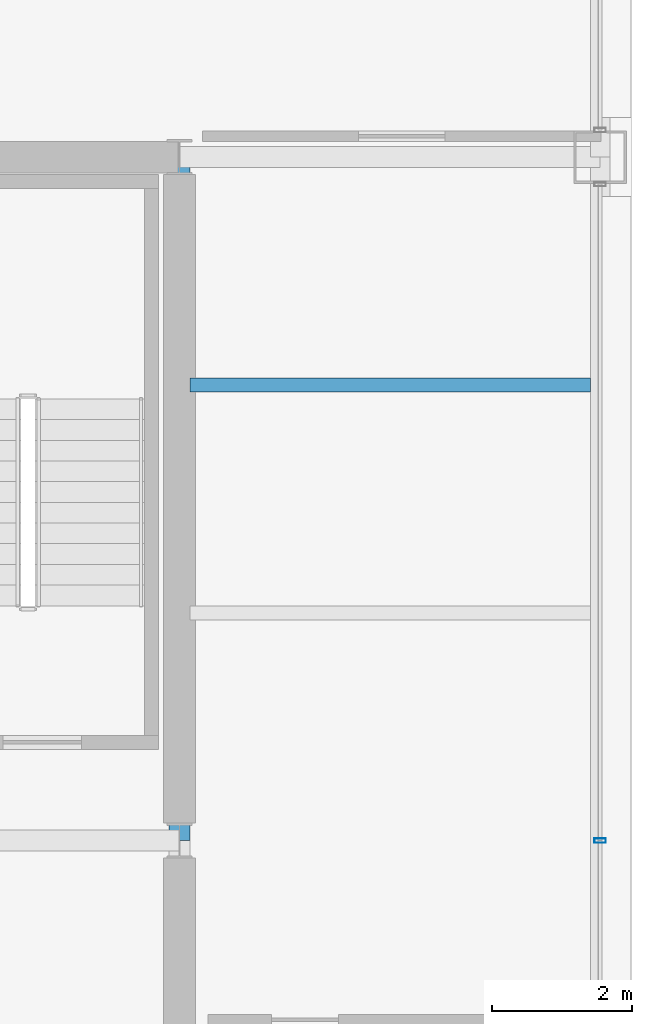
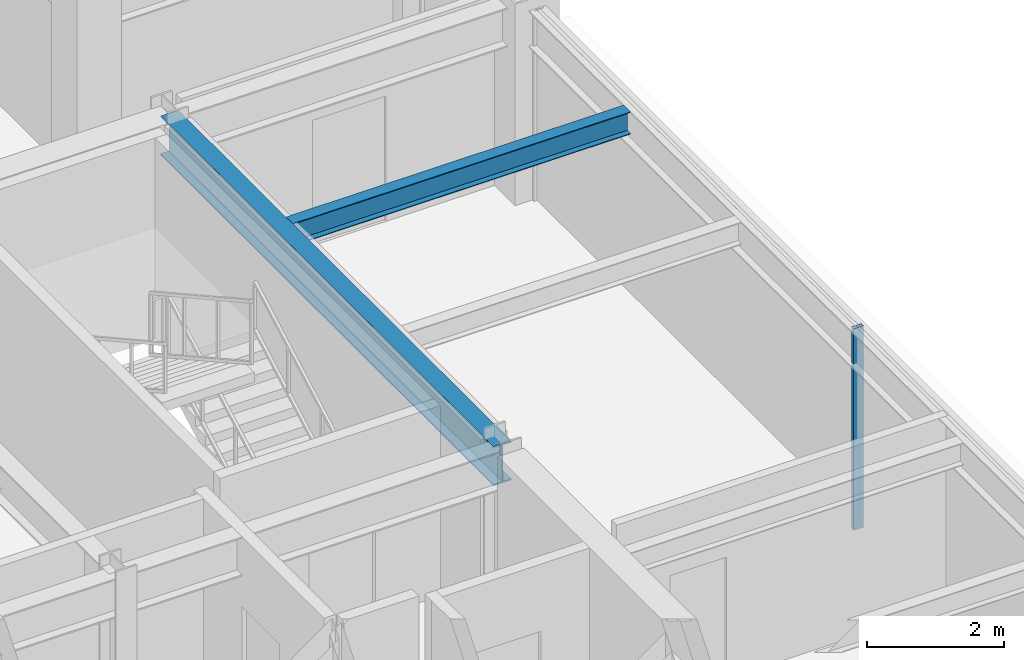
# One storey, part 15 of 27: 2 beams, 1 member, 1 element without a shape of its own.
"""IFC4 building model written with IfcOpenShell, lengths in metres."""

import ifcopenshell
import ifcopenshell.guid

model = None  # the IFC model being written
_history = None  # IfcOwnerHistory: only IFC2X3 demands one
_inside = {}  # id of a spatial element -> (the spatial element, [elements in it])
_under = {}  # id of a project, library or spatial element -> (it, [spatial elements below it])
_declared = {}  # id of a project -> (the project, [libraries it declares])
_typed = {}  # id of a type object -> (the type object, [elements of that type])
_made_of = {}  # id of a material, layer set ... -> (it, [elements and type objects made of it])


def new_model(schema):
    """Start an empty IFC model of exactly this schema.

    Asked for "IFC4X3", IfcOpenShell would pick the latest addendum, in which some entities
    have other attributes; the version numbers below select the first issue.
    IFC2X3 requires an IfcOwnerHistory on every rooted entity: one is made here for all.
    """
    global model, _history
    if schema == "IFC4X3":
        model = ifcopenshell.file(schema_version=(4, 3, 0, 0))
    else:
        model = ifcopenshell.file(schema=schema)
    _inside.clear()
    _under.clear()
    _declared.clear()
    _typed.clear()
    _made_of.clear()
    _history = None
    if model.schema == "IFC2X3":
        org = make("IfcOrganization", Name="unknown")
        user = make(
            "IfcPersonAndOrganization",
            ThePerson=make("IfcPerson", FamilyName="unknown"),
            TheOrganization=org,
        )
        app = make(
            "IfcApplication",
            ApplicationDeveloper=org,
            Version="unknown",
            ApplicationFullName="unknown",
            ApplicationIdentifier="unknown",
        )
        _history = make(
            "IfcOwnerHistory",
            OwningUser=user,
            OwningApplication=app,
            ChangeAction="ADDED",
            CreationDate=0,
        )
    return model


def make(cls, **values):
    """One entity of the class cls with the attributes given. An attribute that is None is left unset."""
    return model.create_entity(
        cls, **{name: value for name, value in values.items() if value is not None}
    )


def rooted(cls, **values):
    """An entity with a GlobalId (a new one), such as an element, a storey or a relation."""
    return make(cls, GlobalId=ifcopenshell.guid.new(), OwnerHistory=_history, **values)


def si_unit(unit_type, name, prefix=None):
    """IfcSIUnit, for example si_unit("LENGTHUNIT", "METRE", prefix="MILLI")."""
    return make("IfcSIUnit", UnitType=unit_type, Prefix=prefix, Name=name)


def assignment(units):
    """IfcUnitAssignment: the units of a project."""
    return None if units is None else make("IfcUnitAssignment", Units=units)


def point(xyz):
    """IfcCartesianPoint."""
    return None if xyz is None else make("IfcCartesianPoint", Coordinates=xyz)


def direction(xyz):
    """IfcDirection."""
    return None if xyz is None else make("IfcDirection", DirectionRatios=xyz)


def frame(location, z_axis=None, x_axis=None):
    """IfcAxis2Placement3D, a coordinate frame: its origin and axes. An axis left out is left unset."""
    return make(
        "IfcAxis2Placement3D",
        Location=point(location),
        Axis=direction(z_axis),
        RefDirection=direction(x_axis),
    )


def frame_2d(location, x_axis=None):
    """IfcAxis2Placement2D, a coordinate frame in the plane: its origin and x axis."""
    return make(
        "IfcAxis2Placement2D", Location=point(location), RefDirection=direction(x_axis)
    )


def origin():
    """The frame at (0, 0, 0) with its axes left unset."""
    return frame((0.0, 0.0, 0.0))


def origin_2d():
    """The frame at (0, 0) in the plane with its x axis left unset."""
    return frame_2d((0.0, 0.0))


def place(relative_to, where):
    """IfcLocalPlacement: puts the frame where relative to a parent placement (None: the world)."""
    return make(
        "IfcLocalPlacement", PlacementRelTo=relative_to, RelativePlacement=where
    )


def context(
    kind, dimensions, precision=None, world=None, true_north=None, identifier=None
):
    """IfcGeometricRepresentationContext, for example the 3D "Model" context."""
    return make(
        "IfcGeometricRepresentationContext",
        ContextIdentifier=identifier,
        ContextType=kind,
        CoordinateSpaceDimension=dimensions,
        Precision=precision,
        WorldCoordinateSystem=world,
        TrueNorth=true_north,
    )


def subcontext(parent, identifier, kind, view, scale=None):
    """IfcGeometricRepresentationSubContext, for example "Body" below "Model"."""
    return make(
        "IfcGeometricRepresentationSubContext",
        ContextIdentifier=identifier,
        ContextType=kind,
        ParentContext=parent,
        TargetScale=scale,
        TargetView=view,
    )


def project(units=None, contexts=None):
    """IfcProject with its units and contexts."""
    return rooted(
        "IfcProject",
        Name="project",
        RepresentationContexts=contexts,
        UnitsInContext=assignment(units),
    )


def spatial(cls, under=None, at=None, **own):
    """A site, building, storey or space (cls), placed at a placement, below another one or the project."""
    s = rooted(cls, ObjectPlacement=at, **own)
    if under is not None:
        _under.setdefault(under.id(), (under, []))[1].append(s)
    return s


def profile(cls, at=None, kind="AREA", **sizes):
    """A parametric profile (cls). Its sizes go by their IFC names, for example OverallWidth=200.0."""
    return make(cls, ProfileType=kind, Position=at, **sizes)


def hollow_rectangle(**sizes):
    """IfcRectangleHollowProfileDef."""
    return profile("IfcRectangleHollowProfileDef", **sizes)


def i_section(**sizes):
    """IfcIShapeProfileDef."""
    return profile("IfcIShapeProfileDef", **sizes)


def extrude(swept, where, along, depth):
    """IfcExtrudedAreaSolid: the profile swept, set in the frame where, extruded along a direction by depth."""
    return make(
        "IfcExtrudedAreaSolid",
        SweptArea=swept,
        Position=where,
        ExtrudedDirection=direction(along),
        Depth=depth,
    )


def shape(context_of_items, identifier, shape_type, items):
    """IfcShapeRepresentation: the items that make up one representation, for example the "Body"."""
    return make(
        "IfcShapeRepresentation",
        ContextOfItems=context_of_items,
        RepresentationIdentifier=identifier,
        RepresentationType=shape_type,
        Items=items,
    )


def material(Name=None, Category=None):
    """IfcMaterial."""
    return make("IfcMaterial", Name=Name, Category=Category)


def layer(
    of_material, thickness, ventilated=None, Name=None, Category=None, Priority=None
):
    """IfcMaterialLayer: one layer of a wall or slab, of a material (None: an air gap)."""
    return make(
        "IfcMaterialLayer",
        Material=of_material,
        LayerThickness=thickness,
        IsVentilated=ventilated,
        Name=Name,
        Category=Category,
        Priority=Priority,
    )


def layer_set(layers, Name=None):
    """IfcMaterialLayerSet."""
    return make("IfcMaterialLayerSet", MaterialLayers=layers, LayerSetName=Name)


def material_profile(
    of_material, cross_section, Name=None, Category=None, Priority=None
):
    """IfcMaterialProfile: a cross section and its material."""
    return make(
        "IfcMaterialProfile",
        Name=Name,
        Material=of_material,
        Profile=cross_section,
        Priority=Priority,
        Category=Category,
    )


def profile_set(profiles, Name=None, composite=None):
    """IfcMaterialProfileSet."""
    return make(
        "IfcMaterialProfileSet",
        Name=Name,
        MaterialProfiles=profiles,
        CompositeProfile=composite,
    )


def made_of(thing, what):
    """Note that an element or type object is made of a material, layer set ...; save() writes the relation."""
    if what is not None:
        _made_of.setdefault(what.id(), (what, []))[1].append(thing)
    return thing


def type_object(cls, material=None, **own):
    """A type object (cls), such as IfcWallType, which elements share."""
    return made_of(rooted(cls, **own), material)


def element(
    cls,
    number,
    at=None,
    inside=None,
    cuts=None,
    type_object=None,
    material=None,
    context=None,
    identifier="Body",
    shape_type=None,
    held_by="IfcProductDefinitionShape",
    body=None,
    shapes=None,
    **own,
):
    """One element of the class cls, such as IfcWall. Its Tag is "e" and its number.

    at: its placement. inside: the storey or other place that contains it. cuts: it is an
    opening in that element (IfcRelVoidsElement). A single representation is given by context,
    identifier, shape_type and body (its items); several are given by shapes. held_by: the class
    of the entity that holds the representations. save() writes the other relations.
    """
    e = rooted(cls, Tag="e%d" % number, ObjectPlacement=at, **own)
    if body is not None:
        shapes = [shape(context, identifier, shape_type, body)]
    if shapes is not None:
        e.Representation = make(held_by, Representations=shapes)
    if inside is not None:
        _inside.setdefault(inside.id(), (inside, []))[1].append(e)
    if cuts is not None:
        rooted(
            "IfcRelVoidsElement", RelatingBuildingElement=cuts, RelatedOpeningElement=e
        )
    if type_object is not None:
        _typed.setdefault(type_object.id(), (type_object, []))[1].append(e)
    return made_of(e, material)


def aggregate(whole, parts):
    """IfcRelAggregates: a whole, such as a stair, and the parts it consists of."""
    return rooted("IfcRelAggregates", RelatingObject=whole, RelatedObjects=parts)


def save(model, path):
    """Write the relations noted so far, then the file.

    IfcRelAggregates (storeys below a building ...), IfcRelContainedInSpatialStructure (elements
    in a storey), IfcRelDefinesByType, IfcRelAssociatesMaterial and IfcRelDeclares: one each for
    every whole, place, type object, material and project.
    """
    for whole, parts in _under.values():
        aggregate(whole, parts)
    for where, things in _inside.values():
        rooted(
            "IfcRelContainedInSpatialStructure",
            RelatedElements=things,
            RelatingStructure=where,
        )
    for kind, things in _typed.values():
        rooted("IfcRelDefinesByType", RelatedObjects=things, RelatingType=kind)
    for what, things in _made_of.values():
        rooted("IfcRelAssociatesMaterial", RelatedObjects=things, RelatingMaterial=what)
    for by, libraries in _declared.values():
        rooted("IfcRelDeclares", RelatingContext=by, RelatedDefinitions=libraries)
    model.write(path)


model = new_model("IFC4")

# Units and contexts
model_context = context("Model", 3, precision=1e-05, world=origin(), true_north=direction((0.0, 1.0)))
body_context = subcontext(model_context, "Body", "Model", "MODEL_VIEW")
ifc_project = project(units=[si_unit("LENGTHUNIT", "METRE"), si_unit("AREAUNIT", "SQUARE_METRE"), si_unit("VOLUMEUNIT", "CUBIC_METRE"), si_unit("PLANEANGLEUNIT", "RADIAN"), si_unit("MASSUNIT", "GRAM", prefix="KILO")], contexts=[model_context])

# Site, building, storey
site_placement = place(None, origin())
site = spatial("IfcSite", under=ifc_project, at=site_placement, CompositionType="ELEMENT")
building_placement = place(site_placement, origin())
building = spatial("IfcBuilding", under=site, at=building_placement, Name="Brelmoor Portico Tower", CompositionType="ELEMENT")
storey_placement = place(building_placement, frame((0.0, 0.0, 158.699951171875)))
storey = spatial("IfcBuildingStorey", under=building, at=storey_placement, Name="L41", CompositionType="ELEMENT", Elevation=158.699951171875)

# Beams
ifc_material_1 = material(Name="Steel Q355B", Category="steel")
ifc_material_profile_1 = material_profile(ifc_material_1, i_section(OverallWidth=0.199951171875, OverallDepth=0.39990234375, WebThickness=0.008056640625, FlangeThickness=0.012939453125, at=origin_2d()), Name="HN 400x200x8x13")
ifc_profile_set_1 = profile_set([ifc_material_profile_1], Name="Steel Q355B")
beam_type_1 = type_object("IfcBeamType", Name="BM-JS-400", PredefinedType="JOIST", material=ifc_profile_set_1)
beam_1_placement = place(storey_placement, frame((14.699951171875, 6.5, 3.199951171875), z_axis=(1.0, 0.0, 0.0), x_axis=(0.0, 1.0, 0.0)))
element("IfcBeam", 1, at=beam_1_placement, inside=storey, type_object=beam_type_1, Name="L41 Secondary Wing Joist JS-E12", PredefinedType="JOIST", context=body_context, shape_type="SweptSolid", body=[
    extrude(i_section(OverallWidth=0.199951171875, OverallDepth=0.39990234375, WebThickness=0.008056640625, FlangeThickness=0.012939453125, at=origin_2d()), origin(), (0.0, 0.0, 1.0), 5.7099609375),
])
ifc_material_profile_2 = material_profile(ifc_material_1, i_section(OverallWidth=0.300048828125, OverallDepth=0.699951171875, WebThickness=0.012939453125, FlangeThickness=0.02392578125, at=origin_2d()), Name="HN 700x300x13x24")
ifc_profile_set_2 = profile_set([ifc_material_profile_2], Name="Steel Q355B")
beam_type_2 = type_object("IfcBeamType", Name="BM-PG-700", PredefinedType="BEAM", material=ifc_profile_set_2)
beam_2_placement = place(storey_placement, frame((14.550048828125, 0.0, 3.050048828125), z_axis=(0.0, 1.0, 0.0), x_axis=(-1.0, 0.0, 0.0)))
element("IfcBeam", 2, at=beam_2_placement, inside=storey, type_object=beam_type_2, Name="L41 Primary Floor Girder PG-10", PredefinedType="BEAM", context=body_context, shape_type="SweptSolid", body=[
    extrude(i_section(OverallWidth=0.300048828125, OverallDepth=0.699951171875, WebThickness=0.012939453125, FlangeThickness=0.02392578125, at=origin_2d()), origin(), (0.0, 0.0, 1.0), 9.75),
])

# Curtain wall, member
ifc_material_2 = material(Name="Anodised Aluminium Alloy 6063-T6", Category="aluminium")
ifc_layer = layer(ifc_material_2, 0.179931640625)
ifc_layer_set = layer_set([ifc_layer], Name="Anodised Aluminium Alloy 6063-T6")
curtain_wall_type = type_object("IfcCurtainWallType", Name="CW-TOWER-Z3-XB", PredefinedType="NOTDEFINED", material=ifc_layer_set)
curtain_wall_placement = place(storey_placement, origin())
curtain_wall = element("IfcCurtainWall", 3, at=curtain_wall_placement, inside=storey, type_object=curtain_wall_type, Name="L41 Curtain Wall CW-L41-04-2", PredefinedType="NOTDEFINED")
ifc_material_profile_3 = material_profile(ifc_material_2, hollow_rectangle(XDim=0.06494140625, YDim=0.1650390625, WallThickness=0.00390625, at=origin_2d()), Name="ALU MULLION 65x165")
ifc_profile_set_3 = profile_set([ifc_material_profile_3], Name="Anodised Aluminium Alloy 6063-T6")
member_type = type_object("IfcMemberType", Name="MB-CW-MULL-165", PredefinedType="MULLION", material=ifc_profile_set_3)
member_placement = place(storey_placement, frame((20.550048828125, 0.0, -0.199951171875), z_axis=(0.0, 0.0, 1.0), x_axis=(0.0, 1.0, 0.0)))
member = element("IfcMember", 4, at=member_placement, type_object=member_type, Name="CW-L41-04-2 Mullion 01", PredefinedType="MULLION", context=body_context, shape_type="SweptSolid", body=[
    extrude(hollow_rectangle(XDim=0.06494140625, YDim=0.1650390625, WallThickness=0.00390625, at=origin_2d()), origin(), (0.0, 0.0, 1.0), 3.60009765625),
])
aggregate(curtain_wall, [member])

save(model, "model.ifc")
